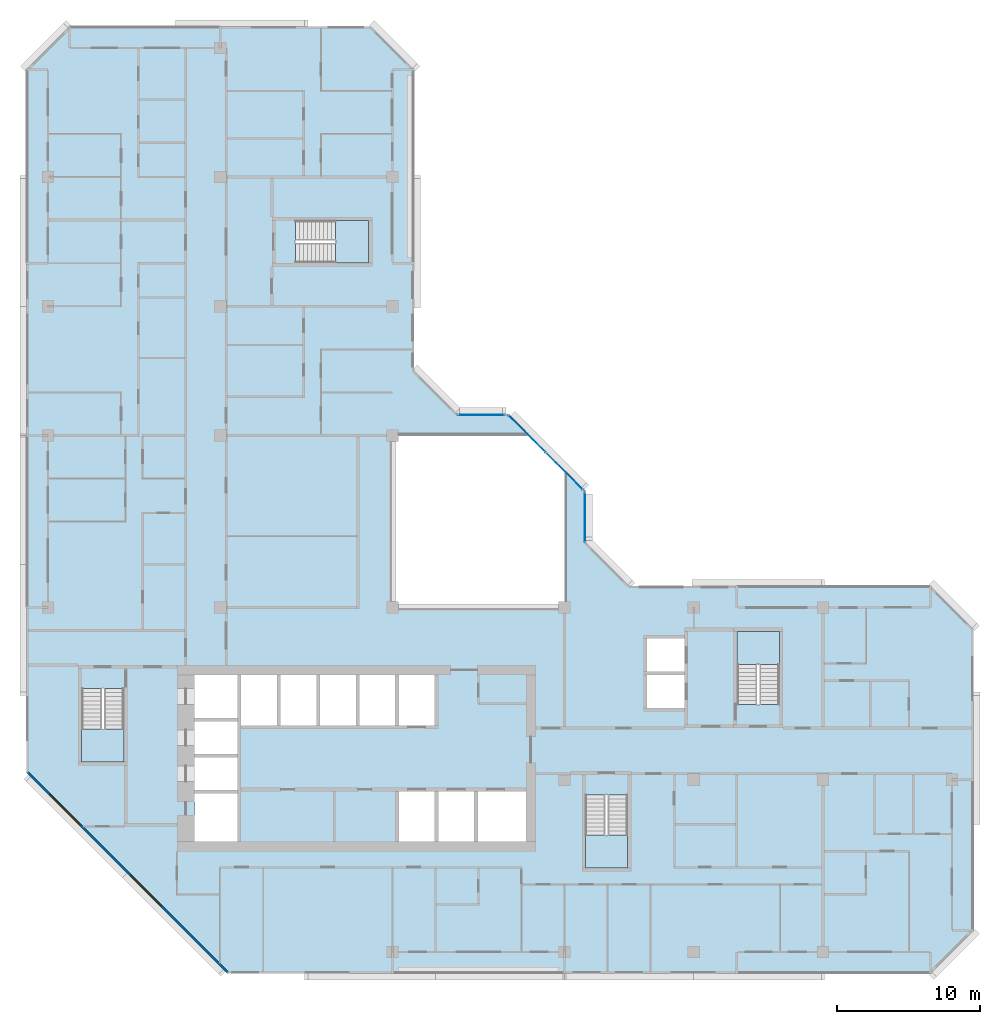
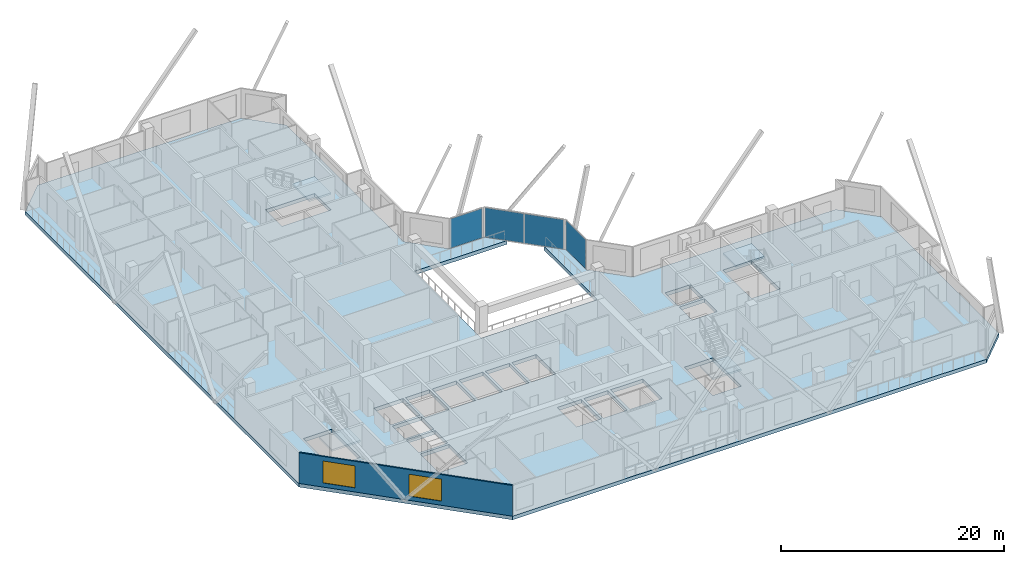
# One storey, part 3 of 14: 5 slabs, 4 plates, 2 windows, 1 wall, 2 openings, 7 elements without a shape of their own.
"""IFC4 building model written with IfcOpenShell, lengths in metres."""

from ifc_helpers import new_model, si_unit, direction, frame, frame_2d, origin, origin_2d, place, context, subcontext, project, spatial, polyline, rectangle, outline, extrude, material, layer, layer_set, type_object, element, fill, aggregate, save


model = new_model("IFC4")

# Units and contexts
model_context = context("Model", 3, precision=1e-05, world=origin(), true_north=direction((0.0, 1.0)))
body_context = subcontext(model_context, "Body", "Model", "MODEL_VIEW")
ifc_project = project(units=[si_unit("LENGTHUNIT", "METRE"), si_unit("AREAUNIT", "SQUARE_METRE"), si_unit("VOLUMEUNIT", "CUBIC_METRE"), si_unit("PLANEANGLEUNIT", "RADIAN"), si_unit("MASSUNIT", "GRAM", prefix="KILO")], contexts=[model_context])

# Site, building, storey
site_placement = place(None, origin())
site = spatial("IfcSite", under=ifc_project, at=site_placement, CompositionType="ELEMENT")
building_placement = place(site_placement, origin())
building = spatial("IfcBuilding", under=site, at=building_placement, Name="Chenar Terraces", CompositionType="ELEMENT")
storey_placement = place(building_placement, frame((0.0, 0.0, 234.14990234375)))
storey = spatial("IfcBuildingStorey", under=building, at=storey_placement, Name="L55", CompositionType="ELEMENT", Elevation=234.14990234375)

# Curtain wall, plate
ifc_material_1 = material(Name="Aluminium framed glazing", Category="aluminium")
ifc_layer_1 = layer(ifc_material_1, 0.14990234375)
ifc_layer_set_1 = layer_set([ifc_layer_1], Name="Aluminium framed glazing")
curtain_wall_type = type_object("IfcCurtainWallType", Name="Atrium mid-zone curtain wall", PredefinedType="NOTDEFINED", material=ifc_layer_set_1)
placement_1 = place(storey_placement, origin())
curtain_wall_1 = element("IfcCurtainWall", 1, at=placement_1, inside=storey, type_object=curtain_wall_type, Name="Atrium mid-zone curtain wall", PredefinedType="NOTDEFINED")
ifc_material_2 = material(Name="Low emissivity laminated glass, solar control coating", Category="glass")
ifc_layer_2 = layer(ifc_material_2, 0.031982421875)
ifc_layer_set_2 = layer_set([ifc_layer_2], Name="Low emissivity laminated glass, solar control coating")
plate_type = type_object("IfcPlateType", Name="Atrium mid-zone glazing panel 32", PredefinedType="CURTAIN_PANEL", material=ifc_layer_set_2)
plate_1_placement = place(storey_placement, frame((37.425048828125, 30.300048828125, 0.070068359375), z_axis=(0.0, 0.0, 1.0), x_axis=(0.0, 1.0, 0.0)))
plate_1 = element("IfcPlate", 2, at=plate_1_placement, type_object=plate_type, Name="CW7-1 panel 1.1", PredefinedType="CURTAIN_PANEL", context=body_context, shape_type="SweptSolid", body=[
    extrude(rectangle(XDim=3.4599609375, YDim=0.031982421875, at=origin_2d()), origin(), (0.0, 0.0, 1.0), 3.2099609375),
])
aggregate(curtain_wall_1, [plate_1])

# Curtain wall, plates
curtain_wall_2 = element("IfcCurtainWall", 3, at=placement_1, inside=storey, type_object=curtain_wall_type, Name="Atrium mid-zone curtain wall", PredefinedType="NOTDEFINED")
plate_2_placement = place(storey_placement, frame((35.978515625, 33.515380859375, 0.070068359375), z_axis=(0.0, 0.0, 1.0), x_axis=(-0.707106781187, 0.707106781187, 0.0)))
plate_2 = element("IfcPlate", 4, at=plate_2_placement, type_object=plate_type, Name="CW7-2 panel 1.1", PredefinedType="CURTAIN_PANEL", context=body_context, shape_type="SweptSolid", body=[
    extrude(rectangle(XDim=3.61328125, YDim=0.031982421875, at=origin_2d()), origin(), (0.0, 0.0, 1.0), 3.2099609375),
])
plate_3_placement = place(storey_placement, frame((33.3740234375, 36.119873046875, 0.070068359375), z_axis=(0.0, 0.0, 1.0), x_axis=(-0.707106781187, 0.707106781187, 0.0)))
plate_3 = element("IfcPlate", 5, at=plate_3_placement, type_object=plate_type, Name="CW7-2 panel 2.1", PredefinedType="CURTAIN_PANEL", context=body_context, shape_type="SweptSolid", body=[
    extrude(rectangle(XDim=3.61328125, YDim=0.031982421875, at=origin_2d()), origin(), (0.0, 0.0, 1.0), 3.2099609375),
])
aggregate(curtain_wall_2, [plate_2, plate_3])

# Curtain wall, plate
curtain_wall_3 = element("IfcCurtainWall", 6, at=placement_1, inside=storey, type_object=curtain_wall_type, Name="Atrium mid-zone curtain wall", PredefinedType="NOTDEFINED")
plate_4_placement = place(storey_placement, frame((30.199951171875, 37.425048828125, 0.070068359375), z_axis=(0.0, 0.0, 1.0), x_axis=(-1.0, 0.0, 0.0)))
plate_4 = element("IfcPlate", 7, at=plate_4_placement, type_object=plate_type, Name="CW7-3 panel 1.1", PredefinedType="CURTAIN_PANEL", context=body_context, shape_type="SweptSolid", body=[
    extrude(rectangle(XDim=3.260009765625, YDim=0.031982421875, at=origin_2d()), origin(), (0.0, 0.0, 1.0), 3.2099609375),
])
aggregate(curtain_wall_3, [plate_4])

# Stair, slab
ifc_material_3 = material(Name="Reinforced concrete C40/50", Category="concrete")
stair_type = type_object("IfcStairType", Name="Core stair 1400 half-turn", PredefinedType="HALF_TURN_STAIR", material=ifc_material_3)
stair_1 = element("IfcStair", 8, at=placement_1, inside=storey, type_object=stair_type, Name="L55 Stair 1", PredefinedType="HALF_TURN_STAIR")
ifc_material_4 = material(Name="Reinforced concrete C40/50", Category="concrete")
ifc_layer_3 = layer(ifc_material_4, 0.199951171875)
ifc_layer_set_3 = layer_set([ifc_layer_3], Name="Reinforced concrete C40/50")
slab_type_1 = type_object("IfcSlabType", Name="Core stair landing 200", PredefinedType="LANDING", material=ifc_layer_set_3)
placement_2 = place(storey_placement, frame((0.0, 0.0, 1.675048828125)))
slab_1 = element("IfcSlab", 9, at=placement_2, type_object=slab_type_1, Name="ST1 landing 1", PredefinedType="LANDING", context=body_context, shape_type="SweptSolid", body=[
    extrude(outline(polyline([(2.35009765625, 15.550048828125), (2.35009765625, 13.25), (5.300048828125, 13.25), (5.300048828125, 15.550048828125), (2.35009765625, 15.550048828125)])), origin(), (0.0, 0.0, 1.0), 0.199951171875),
])
aggregate(stair_1, [slab_1])

stair_2 = element("IfcStair", 10, at=placement_1, inside=storey, type_object=stair_type, Name="L55 Stair 2", PredefinedType="HALF_TURN_STAIR")
slab_2 = element("IfcSlab", 11, at=placement_2, type_object=slab_type_1, Name="ST2 landing 1", PredefinedType="LANDING", context=body_context, shape_type="SweptSolid", body=[
    extrude(outline(polyline([(37.449951171875, 8.14990234375), (37.449951171875, 5.85009765625), (40.39990234375, 5.85009765625), (40.39990234375, 8.14990234375), (37.449951171875, 8.14990234375)])), origin(), (0.0, 0.0, 1.0), 0.199951171875),
])
aggregate(stair_2, [slab_2])

stair_3 = element("IfcStair", 12, at=placement_1, inside=storey, type_object=stair_type, Name="L55 Stair 3", PredefinedType="HALF_TURN_STAIR")
slab_3 = element("IfcSlab", 13, at=placement_2, type_object=slab_type_1, Name="ST3 landing 1", PredefinedType="LANDING", context=body_context, shape_type="SweptSolid", body=[
    extrude(outline(polyline([(50.97509765625, 20.050048828125), (50.97509765625, 22.35009765625), (48.02490234375, 22.35009765625), (48.02490234375, 20.050048828125), (50.97509765625, 20.050048828125)])), origin(), (0.0, 0.0, 1.0), 0.199951171875),
])
aggregate(stair_3, [slab_3])

stair_4 = element("IfcStair", 14, at=placement_1, inside=storey, type_object=stair_type, Name="L55 Stair 4", PredefinedType="HALF_TURN_STAIR")
slab_4 = element("IfcSlab", 15, at=placement_2, type_object=slab_type_1, Name="ST4 landing 1", PredefinedType="LANDING", context=body_context, shape_type="SweptSolid", body=[
    extrude(outline(polyline([(20.050048828125, 48.02490234375), (22.35009765625, 48.02490234375), (22.35009765625, 50.97509765625), (20.050048828125, 50.97509765625), (20.050048828125, 48.02490234375)])), origin(), (0.0, 0.0, 1.0), 0.199951171875),
])
aggregate(stair_4, [slab_4])

# Slab
ifc_material_5 = material(Name="Concrete C40/50", Category="concrete")
ifc_layer_4 = layer(ifc_material_5, 0.39990234375)
ifc_layer_set_4 = layer_set([ifc_layer_4], Name="Concrete C40/50")
slab_type_2 = type_object("IfcSlabType", Name="Floor slab 400 Concrete C40/50", PredefinedType="FLOOR", material=ifc_layer_set_4)
slab_5_placement = place(storey_placement, frame((0.0, 0.0, -0.39990234375)))
element("IfcSlab", 16, at=slab_5_placement, inside=storey, type_object=slab_type_2, Name="Floor slab L55", PredefinedType="FLOOR", context=body_context, shape_type="SweptSolid", body=[
    extrude(outline(polyline([(64.5, 22.5), (64.5, 1.5), (61.5, -1.5), (12.5, -1.5), (-1.5, 12.5), (-1.5, 61.5), (1.5, 64.5), (22.5, 64.5), (25.5, 61.5), (25.5, 40.5), (28.5, 37.5), (32.10009765625, 37.5), (33.60009765625, 36.0), (24.0, 36.0), (24.0, 24.0), (36.0, 24.0), (36.0, 33.60009765625), (37.5, 32.10009765625), (37.5, 28.5), (40.5, 25.5), (61.5, 25.5), (64.5, 22.5)]), holes=[polyline([(13.199951171875, 11.050048828125), (10.199951171875, 11.050048828125), (10.199951171875, 7.699951171875), (13.199951171875, 7.699951171875), (13.199951171875, 11.050048828125)]), polyline([(13.199951171875, 13.550048828125), (10.199951171875, 13.550048828125), (10.199951171875, 11.300048828125), (13.199951171875, 11.300048828125), (13.199951171875, 13.550048828125)]), polyline([(13.199951171875, 16.050048828125), (10.199951171875, 16.050048828125), (10.199951171875, 13.800048828125), (13.199951171875, 13.800048828125), (13.199951171875, 16.050048828125)]), polyline([(2.35009765625, 13.25), (5.300048828125, 13.25), (5.300048828125, 18.35009765625), (2.35009765625, 18.35009765625), (2.35009765625, 13.25)]), polyline([(15.949951171875, 19.300048828125), (13.449951171875, 19.300048828125), (13.449951171875, 15.800048828125), (15.949951171875, 15.800048828125), (15.949951171875, 19.300048828125)]), polyline([(18.699951171875, 19.300048828125), (16.199951171875, 19.300048828125), (16.199951171875, 15.800048828125), (18.699951171875, 15.800048828125), (18.699951171875, 19.300048828125)]), polyline([(21.449951171875, 19.300048828125), (18.949951171875, 19.300048828125), (18.949951171875, 15.800048828125), (21.449951171875, 15.800048828125), (21.449951171875, 19.300048828125)]), polyline([(24.199951171875, 15.800048828125), (24.199951171875, 19.300048828125), (21.699951171875, 19.300048828125), (21.699951171875, 15.800048828125), (24.199951171875, 15.800048828125)]), polyline([(13.199951171875, 16.300048828125), (13.199951171875, 19.300048828125), (10.199951171875, 19.300048828125), (10.199951171875, 16.300048828125), (13.199951171875, 16.300048828125)]), polyline([(22.35009765625, 48.02490234375), (22.35009765625, 50.97509765625), (17.25, 50.97509765625), (17.25, 48.02490234375), (22.35009765625, 48.02490234375)]), polyline([(37.449951171875, 5.85009765625), (40.39990234375, 5.85009765625), (40.39990234375, 10.949951171875), (37.449951171875, 10.949951171875), (37.449951171875, 5.85009765625)]), polyline([(26.949951171875, 11.199951171875), (24.449951171875, 11.199951171875), (24.449951171875, 7.699951171875), (26.949951171875, 7.699951171875), (26.949951171875, 11.199951171875)]), polyline([(29.699951171875, 7.699951171875), (29.699951171875, 11.199951171875), (27.199951171875, 11.199951171875), (27.199951171875, 7.699951171875), (29.699951171875, 7.699951171875)]), polyline([(33.300048828125, 7.699951171875), (33.300048828125, 11.199951171875), (29.949951171875, 11.199951171875), (29.949951171875, 7.699951171875), (33.300048828125, 7.699951171875)]), polyline([(26.949951171875, 19.300048828125), (24.449951171875, 19.300048828125), (24.449951171875, 15.800048828125), (26.949951171875, 15.800048828125), (26.949951171875, 19.300048828125)]), polyline([(44.35009765625, 19.300048828125), (41.75, 19.300048828125), (41.75, 17.0), (44.35009765625, 17.0), (44.35009765625, 19.300048828125)]), polyline([(50.97509765625, 22.35009765625), (48.02490234375, 22.35009765625), (48.02490234375, 17.25), (50.97509765625, 17.25), (50.97509765625, 22.35009765625)]), polyline([(44.35009765625, 19.550048828125), (44.35009765625, 21.85009765625), (41.75, 21.85009765625), (41.75, 19.550048828125), (44.35009765625, 19.550048828125)])]), origin(), (0.0, 0.0, 1.0), 0.39990234375),
])

# Wall, openings, windows
ifc_material_6 = material(Name="Terracotta cladding on insulated backing", Category="masonry")
ifc_layer_5 = layer(ifc_material_6, 0.14990234375)
ifc_layer_set_5 = layer_set([ifc_layer_5], Name="Terracotta cladding on insulated backing")
wall_type = type_object("IfcWallType", Name="Terracotta rainscreen wall 150", PredefinedType="SOLIDWALL", material=ifc_layer_set_5)
wall_placement = place(storey_placement, frame((-1.447021484375, 12.552978515625, 0.0), z_axis=(0.0, 0.0, 1.0), x_axis=(0.707106781187, -0.707106781187, 0.0)))
wall = element("IfcWall", 17, at=wall_placement, inside=storey, type_object=wall_type, Name="Terracotta rainscreen wall", PredefinedType="SOLIDWALL", context=body_context, shape_type="SweptSolid", body=[
    extrude(rectangle(XDim=19.799072265625, YDim=0.14990234375, at=frame_2d((9.8994140625, 0.0))), origin(), (0.0, 0.0, 1.0), 3.35009765625),
])
opening_1_placement = place(wall_placement, frame((2.21240234375, 0.0, 0.449951171875)))
opening_1 = element("IfcOpeningElement", 18, at=opening_1_placement, cuts=wall, Name="Opening W300x240", PredefinedType="OPENING", context=body_context, shape_type="SweptSolid", body=[
    extrude(rectangle(XDim=3.0, YDim=2.39990234375, at=frame_2d((1.5, 1.199951171875))), frame((0.0, 0.0849609375, 0.0), z_axis=(0.0, -1.0, 0.0), x_axis=(1.0, 0.0, 0.0)), (0.0, 0.0, 1.0), 0.169921875),
])
opening_2_placement = place(wall_placement, frame((10.215576171875, 0.0, 0.449951171875)))
opening_2 = element("IfcOpeningElement", 19, at=opening_2_placement, cuts=wall, Name="Opening W300x240", PredefinedType="OPENING", context=body_context, shape_type="SweptSolid", body=[
    extrude(rectangle(XDim=3.0, YDim=2.39990234375, at=frame_2d((1.5, 1.199951171875))), frame((0.0, 0.0849609375, 0.0), z_axis=(0.0, -1.0, 0.0), x_axis=(1.0, 0.0, 0.0)), (0.0, 0.0, 1.0), 0.169921875),
])
ifc_material_7 = material(Name="Low emissivity double glazing, aluminium frame", Category="aluminium")
window_type = type_object("IfcWindowType", Name="Fixed light 3000 x 2400", PartitioningType="SINGLE_PANEL", PredefinedType="WINDOW", material=ifc_material_7)
window_1_placement = place(opening_1_placement, origin())
window_1 = element("IfcWindow", 20, at=window_1_placement, inside=storey, type_object=window_type, Name="Window", OverallHeight=2.39990234375, OverallWidth=3.0, PartitioningType="SINGLE_PANEL", PredefinedType="WINDOW", context=body_context, shape_type="SweptSolid", body=[
    extrude(rectangle(XDim=3.0, YDim=2.39990234375, at=frame_2d((1.5, 1.199951171875))), frame((0.0, 0.030029296875, 0.0), z_axis=(0.0, -1.0, 0.0), x_axis=(1.0, 0.0, 0.0)), (0.0, 0.0, 1.0), 0.06005859375),
])
fill(opening_1, window_1)
window_2_placement = place(opening_2_placement, origin())
window_2 = element("IfcWindow", 21, at=window_2_placement, inside=storey, type_object=window_type, Name="Window", OverallHeight=2.39990234375, OverallWidth=3.0, PartitioningType="SINGLE_PANEL", PredefinedType="WINDOW", context=body_context, shape_type="SweptSolid", body=[
    extrude(rectangle(XDim=3.0, YDim=2.39990234375, at=frame_2d((1.5, 1.199951171875))), frame((0.0, 0.030029296875, 0.0), z_axis=(0.0, -1.0, 0.0), x_axis=(1.0, 0.0, 0.0)), (0.0, 0.0, 1.0), 0.06005859375),
])
fill(opening_2, window_2)

save(model, "model.ifc")
